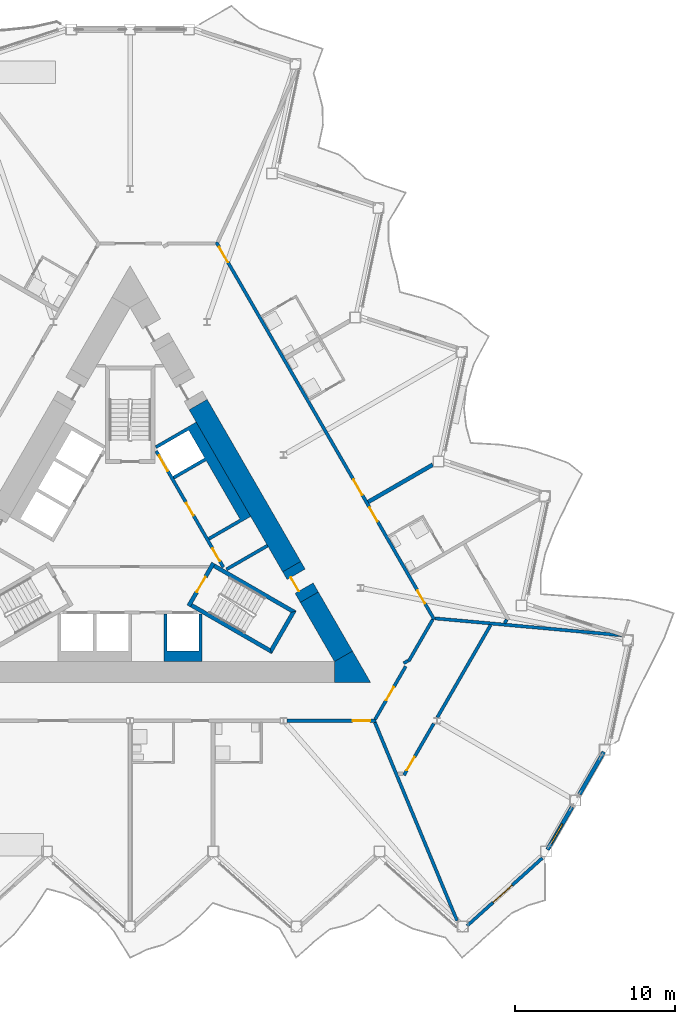
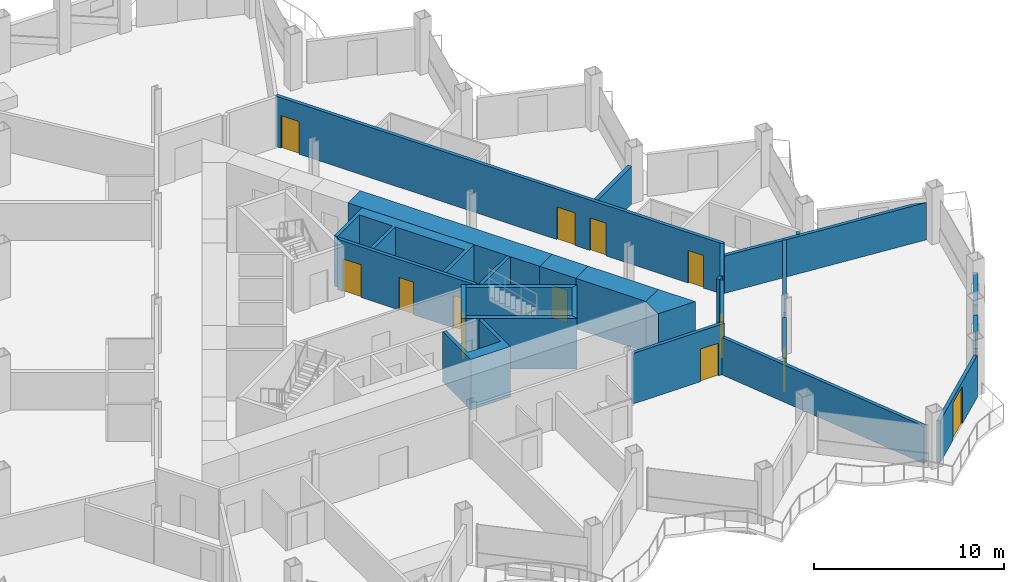
# One storey, part 13 of 23: 26 walls, 13 doors, 1 window, 14 openings.
"""IFC4 building model written with IfcOpenShell, lengths in metres."""

from ifc_helpers import new_model, si_unit, direction, frame, frame_2d, origin, place, context, subcontext, project, spatial, polyline, rectangle, outline, extrude, material, layer, layer_set, type_object, element, fill, save


model = new_model("IFC4")

# Units and contexts
model_context = context("Model", 3, precision=1e-05, world=origin(), true_north=direction((0.0, 1.0)))
body_context = subcontext(model_context, "Body", "Model", "MODEL_VIEW")
ifc_project = project(units=[si_unit("LENGTHUNIT", "METRE"), si_unit("AREAUNIT", "SQUARE_METRE"), si_unit("VOLUMEUNIT", "CUBIC_METRE"), si_unit("PLANEANGLEUNIT", "RADIAN"), si_unit("MASSUNIT", "GRAM", prefix="KILO")], contexts=[model_context])

# Site, building, storey
site_placement = place(None, origin())
site = spatial("IfcSite", under=ifc_project, at=site_placement, CompositionType="ELEMENT")
building_placement = place(site_placement, origin())
building = spatial("IfcBuilding", under=site, at=building_placement, Name="Cormorant Prow Tower", CompositionType="ELEMENT")
storey_placement = place(building_placement, frame((0.0, 0.0, 256.199951171875)))
storey = spatial("IfcBuildingStorey", under=building, at=storey_placement, Name="L57", CompositionType="ELEMENT", Elevation=256.199951171875)

# Walls
ifc_material_1 = material(Name="Concrete 8000 psi", Category="concrete")
ifc_layer_1 = layer(ifc_material_1, 1.300048828125)
ifc_layer_set_1 = layer_set([ifc_layer_1], Name="Concrete 8000 psi")
wall_type_1 = type_object("IfcWallType", Name="Core shear wall 1300", PredefinedType="SHEAR", material=ifc_layer_set_1)
wall_1_placement = place(storey_placement, frame((10.081298828125, -1.440673828125, 0.0), z_axis=(0.0, 0.0, 1.0), x_axis=(-0.500006109471, 0.866021876451, 0.0)))
element("IfcWall", 1, at=wall_1_placement, inside=storey, type_object=wall_type_1, Name="Core wall", PredefinedType="SHEAR", context=body_context, shape_type="SweptSolid", body=[
    extrude(rectangle(XDim=11.672119140625, YDim=1.300048828125, at=frame_2d((5.8359375, 0.0))), origin(), (0.0, 0.0, 1.0), 3.25),
])
wall_2_placement = place(storey_placement, frame((13.311279296875, -7.035400390625, 0.0), z_axis=(0.0, 0.0, 1.0), x_axis=(-0.500003555838, 0.866023350811, 0.0)))
element("IfcWall", 2, at=wall_2_placement, inside=storey, type_object=wall_type_1, Name="Core wall", PredefinedType="SHEAR", context=body_context, shape_type="SweptSolid", body=[
    extrude(rectangle(XDim=4.26025390625, YDim=1.300048828125, at=frame_2d((2.130126953125, 0.0))), origin(), (0.0, 0.0, 1.0), 3.25),
])
wall_3_placement = place(storey_placement, origin())
element("IfcWall", 3, at=wall_3_placement, inside=storey, type_object=wall_type_1, Name="Core wall corner", PredefinedType="SHEAR", context=body_context, shape_type="SweptSolid", body=[
    extrude(outline(polyline([(12.748291015625, -8.660400390625), (12.748291015625, -7.3603515625), (13.874267578125, -6.710205078125), (15.0, -8.660400390625), (12.748291015625, -8.660400390625)])), origin(), (0.0, 0.0, 1.0), 3.25),
])

# Wall, opening, door
wall_4_placement = place(storey_placement, frame((11.18115234375, -3.345947265625, 0.0), z_axis=(0.0, 0.0, 1.0), x_axis=(-0.499946605688, 0.86605622881, 0.0)))
wall_4 = element("IfcWall", 4, at=wall_4_placement, inside=storey, type_object=wall_type_1, Name="Core wall door panel", PredefinedType="SHEAR", context=body_context, shape_type="SweptSolid", body=[
    extrude(rectangle(XDim=2.199951171875, YDim=1.300048828125, at=frame_2d((1.10009765625, 0.0))), origin(), (0.0, 0.0, 1.0), 3.25),
])
opening_1_placement = place(wall_4_placement, frame((0.64990234375, 0.0, 0.0)))
opening_1 = element("IfcOpeningElement", 5, at=opening_1_placement, cuts=wall_4, Name="Opening L57-C15", PredefinedType="OPENING", context=body_context, shape_type="SweptSolid", body=[
    extrude(rectangle(XDim=1.0, YDim=2.10009765625, at=frame_2d((0.5, 1.050048828125))), frame((0.0, 0.659912109375, 0.0), z_axis=(0.0, -1.0, 0.0), x_axis=(1.0, 0.0, 0.0)), (0.0, 0.0, 1.0), 1.320068359375),
])
ifc_material_2 = material(Name="Painted steel", Category="steel")
door_type_1 = type_object("IfcDoorType", Name="Service door 1000x2100", OperationType="NOTDEFINED", PredefinedType="DOOR", material=ifc_material_2)
door_1_placement = place(opening_1_placement, origin())
door_1 = element("IfcDoor", 6, at=door_1_placement, inside=storey, type_object=door_type_1, Name="Core door, Telecom room", OperationType="SINGLE_SWING_LEFT", OverallHeight=2.10009765625, OverallWidth=1.0, PredefinedType="DOOR", context=body_context, shape_type="SweptSolid", body=[
    extrude(rectangle(XDim=1.0, YDim=2.10009765625, at=frame_2d((0.5, 1.050048828125))), frame((0.0, 0.40478515625, 0.0), z_axis=(0.0, -1.0, 0.0), x_axis=(1.0, 0.0, 0.0)), (0.0, 0.0, 1.0), 0.050048828125),
])
fill(opening_1, door_1)

# Wall, openings, doors
ifc_material_3 = material(Name="Gypsum board corridor wall")
ifc_layer_2 = layer(ifc_material_3, 0.199951171875)
ifc_layer_set_2 = layer_set([ifc_layer_2], Name="Gypsum board corridor wall")
wall_type_2 = type_object("IfcWallType", Name="Corridor wall 200", PredefinedType="PARTITIONING", material=ifc_layer_set_2)
wall_5_placement = place(storey_placement, frame((5.377197265625, 18.80712890625, 0.0), z_axis=(0.0, 0.0, 1.0), x_axis=(0.499999852422, -0.866025488988, 0.0)))
wall_5 = element("IfcWall", 7, at=wall_5_placement, inside=storey, type_object=wall_type_2, Name="Corridor wall", PredefinedType="PARTITIONING", context=body_context, shape_type="SweptSolid", body=[
    extrude(rectangle(XDim=27.19775390625, YDim=0.199951171875, at=frame_2d((13.598876953125, 0.0))), origin(), (0.0, 0.0, 1.0), 3.25),
])
opening_2_placement = place(wall_5_placement, frame((25.09619140625, 0.0, 0.0)))
opening_2 = element("IfcOpeningElement", 8, at=opening_2_placement, cuts=wall_5, Name="Opening L57-F10", PredefinedType="OPENING", context=body_context, shape_type="SweptSolid", body=[
    extrude(rectangle(XDim=0.949951171875, YDim=2.10009765625, at=frame_2d((0.47509765625, 1.050048828125))), frame((0.0, 0.10986328125, 0.0), z_axis=(0.0, -1.0, 0.0), x_axis=(1.0, 0.0, 0.0)), (0.0, 0.0, 1.0), 0.219970703125),
])
opening_3_placement = place(wall_5_placement, frame((19.121826171875, 0.0, 0.0)))
opening_3 = element("IfcOpeningElement", 9, at=opening_3_placement, cuts=wall_5, Name="Opening L57-F12", PredefinedType="OPENING", context=body_context, shape_type="SweptSolid", body=[
    extrude(rectangle(XDim=1.0, YDim=2.10009765625, at=frame_2d((0.5, 1.050048828125))), frame((0.0, 0.10986328125, 0.0), z_axis=(0.0, -1.0, 0.0), x_axis=(1.0, 0.0, 0.0)), (0.0, 0.0, 1.0), 0.219970703125),
])
opening_4_placement = place(wall_5_placement, frame((17.114501953125, 0.0, 0.0)))
opening_4 = element("IfcOpeningElement", 10, at=opening_4_placement, cuts=wall_5, Name="Opening L57-F14", PredefinedType="OPENING", context=body_context, shape_type="SweptSolid", body=[
    extrude(rectangle(XDim=1.10009765625, YDim=2.10009765625, at=frame_2d((0.550048828125, 1.050048828125))), frame((0.0, 0.10986328125, 0.0), z_axis=(0.0, -1.0, 0.0), x_axis=(1.0, 0.0, 0.0)), (0.0, 0.0, 1.0), 0.219970703125),
])
opening_5_placement = place(wall_5_placement, frame((0.350341796875, 0.0, 0.0)))
opening_5 = element("IfcOpeningElement", 11, at=opening_5_placement, cuts=wall_5, Name="Opening L57-F16", PredefinedType="OPENING", context=body_context, shape_type="SweptSolid", body=[
    extrude(rectangle(XDim=1.10009765625, YDim=2.10009765625, at=frame_2d((0.550048828125, 1.050048828125))), frame((0.0, 0.10986328125, 0.0), z_axis=(0.0, -1.0, 0.0), x_axis=(1.0, 0.0, 0.0)), (0.0, 0.0, 1.0), 0.219970703125),
])
ifc_material_4 = material(Name="Timber door leaf", Category="wood")
door_type_2 = type_object("IfcDoorType", Name="Flat or room entrance door 1000x2100", OperationType="NOTDEFINED", PredefinedType="DOOR", material=ifc_material_4)
door_2_placement = place(opening_3_placement, origin())
door_2 = element("IfcDoor", 12, at=door_2_placement, inside=storey, type_object=door_type_2, Name="Guest room door", OperationType="SINGLE_SWING_LEFT", OverallHeight=2.10009765625, OverallWidth=1.0, PredefinedType="DOOR", context=body_context, shape_type="SweptSolid", body=[
    extrude(rectangle(XDim=1.0, YDim=2.10009765625, at=frame_2d((0.5, 1.050048828125))), frame((0.0, 0.02490234375, 0.0), z_axis=(0.0, -1.0, 0.0), x_axis=(1.0, 0.0, 0.0)), (0.0, 0.0, 1.0), 0.050048828125),
])
fill(opening_3, door_2)
ifc_material_5 = material(Name="Timber door leaf", Category="wood")
door_type_3 = type_object("IfcDoorType", Name="Store door 950x2100", OperationType="NOTDEFINED", PredefinedType="DOOR", material=ifc_material_5)
door_3_placement = place(opening_2_placement, origin())
door_3 = element("IfcDoor", 13, at=door_3_placement, inside=storey, type_object=door_type_3, Name="Service store door", OperationType="SINGLE_SWING_LEFT", OverallHeight=2.10009765625, OverallWidth=0.949951171875, PredefinedType="DOOR", context=body_context, shape_type="SweptSolid", body=[
    extrude(rectangle(XDim=0.949951171875, YDim=2.10009765625, at=frame_2d((0.47509765625, 1.050048828125))), frame((0.0, 0.02490234375, 0.0), z_axis=(0.0, -1.0, 0.0), x_axis=(1.0, 0.0, 0.0)), (0.0, 0.0, 1.0), 0.050048828125),
])
fill(opening_2, door_3)
ifc_material_6 = material(Name="Timber door leaf", Category="wood")
door_type_4 = type_object("IfcDoorType", Name="Suite entrance door 1100x2100", OperationType="NOTDEFINED", PredefinedType="DOOR", material=ifc_material_6)
door_4_placement = place(opening_4_placement, origin())
door_4 = element("IfcDoor", 14, at=door_4_placement, inside=storey, type_object=door_type_4, Name="Junior suite door", OperationType="SINGLE_SWING_RIGHT", OverallHeight=2.10009765625, OverallWidth=1.10009765625, PredefinedType="DOOR", context=body_context, shape_type="SweptSolid", body=[
    extrude(rectangle(XDim=1.10009765625, YDim=2.10009765625, at=frame_2d((0.550048828125, 1.050048828125))), frame((0.0, 0.02490234375, 0.0), z_axis=(0.0, -1.0, 0.0), x_axis=(1.0, 0.0, 0.0)), (0.0, 0.0, 1.0), 0.050048828125),
])
fill(opening_4, door_4)
door_5_placement = place(opening_5_placement, origin())
door_5 = element("IfcDoor", 15, at=door_5_placement, inside=storey, type_object=door_type_4, Name="Executive suite bedroom door", OperationType="SINGLE_SWING_LEFT", OverallHeight=2.10009765625, OverallWidth=1.10009765625, PredefinedType="DOOR", context=body_context, shape_type="SweptSolid", body=[
    extrude(rectangle(XDim=1.10009765625, YDim=2.10009765625, at=frame_2d((0.550048828125, 1.050048828125))), frame((0.0, 0.02490234375, 0.0), z_axis=(0.0, -1.0, 0.0), x_axis=(1.0, 0.0, 0.0)), (0.0, 0.0, 1.0), 0.050048828125),
])
fill(opening_5, door_5)

# Wall, opening, door
wall_6_placement = place(storey_placement, frame((9.7880859375, -11.060302734375, 0.0), z_axis=(0.0, 0.0, 1.0), x_axis=(1.0, 0.0, 0.0)))
wall_6 = element("IfcWall", 16, at=wall_6_placement, inside=storey, type_object=wall_type_2, Name="Corridor wall", PredefinedType="PARTITIONING", context=body_context, shape_type="SweptSolid", body=[
    extrude(rectangle(XDim=5.542724609375, YDim=0.199951171875, at=frame_2d((2.771484375, 0.0))), origin(), (0.0, 0.0, 1.0), 3.25),
])
opening_6_placement = place(wall_6_placement, frame((4.091796875, 0.0, 0.0)))
opening_6 = element("IfcOpeningElement", 17, at=opening_6_placement, cuts=wall_6, Name="Opening L57-F06", PredefinedType="OPENING", context=body_context, shape_type="SweptSolid", body=[
    extrude(rectangle(XDim=1.10009765625, YDim=2.10009765625, at=frame_2d((0.550048828125, 1.050048828125))), frame((0.0, 0.10986328125, 0.0), z_axis=(0.0, -1.0, 0.0), x_axis=(1.0, 0.0, 0.0)), (0.0, 0.0, 1.0), 0.219970703125),
])
door_6_placement = place(opening_6_placement, origin())
door_6 = element("IfcDoor", 18, at=door_6_placement, inside=storey, type_object=door_type_4, Name="Executive suite bedroom door", OperationType="SINGLE_SWING_RIGHT", OverallHeight=2.10009765625, OverallWidth=1.10009765625, PredefinedType="DOOR", context=body_context, shape_type="SweptSolid", body=[
    extrude(rectangle(XDim=1.10009765625, YDim=2.10009765625, at=frame_2d((0.550048828125, 1.050048828125))), frame((0.0, 0.02490234375, 0.0), z_axis=(0.0, -1.0, 0.0), x_axis=(1.0, 0.0, 0.0)), (0.0, 0.0, 1.0), 0.050048828125),
])
fill(opening_6, door_6)

wall_7_placement = place(storey_placement, frame((15.281005859375, -10.9736328125, 0.0), z_axis=(0.0, 0.0, 1.0), x_axis=(0.499989446428, 0.866031496806, 0.0)))
wall_7 = element("IfcWall", 19, at=wall_7_placement, inside=storey, type_object=wall_type_2, Name="Corridor wall", PredefinedType="PARTITIONING", context=body_context, shape_type="SweptSolid", body=[
    extrude(rectangle(XDim=3.82568359375, YDim=0.199951171875, at=frame_2d((1.912841796875, 0.0))), origin(), (0.0, 0.0, 1.0), 3.25),
])
opening_7_placement = place(wall_7_placement, frame((1.38623046875, 0.0, 0.0)))
opening_7 = element("IfcOpeningElement", 20, at=opening_7_placement, cuts=wall_7, Name="Opening L57-F08", PredefinedType="OPENING", context=body_context, shape_type="SweptSolid", body=[
    extrude(rectangle(XDim=0.949951171875, YDim=2.10009765625, at=frame_2d((0.47509765625, 1.050048828125))), frame((0.0, 0.10986328125, 0.0), z_axis=(0.0, -1.0, 0.0), x_axis=(1.0, 0.0, 0.0)), (0.0, 0.0, 1.0), 0.219970703125),
])
door_7_placement = place(opening_7_placement, origin())
door_7 = element("IfcDoor", 21, at=door_7_placement, inside=storey, type_object=door_type_3, Name="Housekeeping room door", OperationType="SINGLE_SWING_LEFT", OverallHeight=2.10009765625, OverallWidth=0.949951171875, PredefinedType="DOOR", context=body_context, shape_type="SweptSolid", body=[
    extrude(rectangle(XDim=0.949951171875, YDim=2.10009765625, at=frame_2d((0.47509765625, 1.050048828125))), frame((0.0, 0.02490234375, 0.0), z_axis=(0.0, -1.0, 0.0), x_axis=(1.0, 0.0, 0.0)), (0.0, 0.0, 1.0), 0.050048828125),
])
fill(opening_7, door_7)

# Walls
wall_8_placement = place(storey_placement, frame((17.375, -7.346923828125, 0.0), z_axis=(0.0, 0.0, 1.0), x_axis=(0.499952404951, 0.866052881055, 0.0)))
element("IfcWall", 22, at=wall_8_placement, inside=storey, type_object=wall_type_2, Name="Corridor wall", PredefinedType="PARTITIONING", context=body_context, shape_type="SweptSolid", body=[
    extrude(rectangle(XDim=3.002197265625, YDim=0.199951171875, at=frame_2d((1.5009765625, 0.0))), origin(), (0.0, 0.0, 1.0), 3.25),
])
wall_9_placement = place(storey_placement, frame((17.06982421875, -7.46533203125, 0.0), z_axis=(0.0, 0.0, 1.0), x_axis=(0.866054481515, 0.499949632511, 0.0)))
element("IfcWall", 23, at=wall_9_placement, inside=storey, type_object=wall_type_2, Name="Corridor wall", PredefinedType="PARTITIONING", context=body_context, shape_type="SweptSolid", body=[
    extrude(rectangle(XDim=0.31005859375, YDim=0.199951171875, at=frame_2d((0.155029296875, 0.0))), origin(), (0.0, 0.0, 1.0), 3.25),
])
ifc_material_7 = material(Name="Gypsum board demising wall")
ifc_layer_3 = layer(ifc_material_7, 0.199951171875)
ifc_layer_set_3 = layer_set([ifc_layer_3], Name="Gypsum board demising wall")
wall_type_3 = type_object("IfcWallType", Name="Demising wall 200", PredefinedType="PARTITIONING", material=ifc_layer_set_3)
wall_10_placement = place(storey_placement, frame((15.26904296875, -11.152587890625, 0.0), z_axis=(0.0, 0.0, 1.0), x_axis=(0.382692998932, -0.923875569851, 0.0)))
element("IfcWall", 24, at=wall_10_placement, inside=storey, type_object=wall_type_3, Name="Demising wall", PredefinedType="PARTITIONING", context=body_context, shape_type="SweptSolid", body=[
    extrude(rectangle(XDim=13.39697265625, YDim=0.199951171875, at=frame_2d((6.698486328125, 0.0))), origin(), (0.0, 0.0, 1.0), 2.404296875),
])
wall_11_placement = place(storey_placement, origin())
element("IfcWall", 25, at=wall_11_placement, inside=storey, type_object=wall_type_3, Name="Demising wall", PredefinedType="PARTITIONING", context=body_context, shape_type="SweptSolid", body=[
    extrude(outline(polyline([(30.694091796875, -5.824462890625), (19.0166015625, -4.768798828125), (19.034423828125, -4.569580078125), (29.918212890625, -5.553466796875), (30.69580078125, -5.80615234375), (30.694091796875, -5.824462890625)])), origin(), (0.0, 0.0, 1.0), 2.404296875),
])
wall_12_placement = place(storey_placement, frame((19.162353515625, -10.850830078125, 0.0), z_axis=(0.0, 0.0, 1.0), x_axis=(0.500008654708, 0.866020406929, 0.0)))
element("IfcWall", 26, at=wall_12_placement, inside=storey, type_object=wall_type_3, Name="Demising wall", PredefinedType="PARTITIONING", context=body_context, shape_type="SweptSolid", body=[
    extrude(rectangle(XDim=6.67041015625, YDim=0.199951171875, at=frame_2d((3.335205078125, 0.0))), origin(), (0.0, 0.0, 1.0), 2.404296875),
])

# Wall, opening, door
wall_13_placement = place(storey_placement, frame((17.086181640625, -14.447021484375, 0.0), z_axis=(0.0, 0.0, 1.0), x_axis=(0.500004411858, 0.866022856582, 0.0)))
wall_13 = element("IfcWall", 27, at=wall_13_placement, inside=storey, type_object=wall_type_3, Name="Demising wall", PredefinedType="PARTITIONING", context=body_context, shape_type="SweptSolid", body=[
    extrude(rectangle(XDim=3.72265625, YDim=0.199951171875, at=frame_2d((1.861328125, 0.0))), origin(), (0.0, 0.0, 1.0), 2.404296875),
])
opening_8_placement = place(wall_13_placement, frame((0.353271484375, 0.0, 0.0)))
opening_8 = element("IfcOpeningElement", 28, at=opening_8_placement, cuts=wall_13, Name="Opening L57-F09", PredefinedType="OPENING", context=body_context, shape_type="SweptSolid", body=[
    extrude(rectangle(XDim=0.949951171875, YDim=2.10009765625, at=frame_2d((0.47509765625, 1.050048828125))), frame((0.0, 0.10986328125, 0.0), z_axis=(0.0, -1.0, 0.0), x_axis=(1.0, 0.0, 0.0)), (0.0, 0.0, 1.0), 0.219970703125),
])
door_8_placement = place(opening_8_placement, origin())
door_8 = element("IfcDoor", 29, at=door_8_placement, inside=storey, type_object=door_type_3, Name="Linen store door", OperationType="SINGLE_SWING_LEFT", OverallHeight=2.10009765625, OverallWidth=0.949951171875, PredefinedType="DOOR", context=body_context, shape_type="SweptSolid", body=[
    extrude(rectangle(XDim=0.949951171875, YDim=2.10009765625, at=frame_2d((0.47509765625, 1.050048828125))), frame((0.0, 0.02490234375, 0.0), z_axis=(0.0, -1.0, 0.0), x_axis=(1.0, 0.0, 0.0)), (0.0, 0.0, 1.0), 0.050048828125),
])
fill(opening_8, door_8)

# Wall
wall_14_placement = place(storey_placement, frame((23.36572265625, -4.970458984375, 0.0), z_axis=(0.0, 0.0, 1.0), x_axis=(0.500104332946, 0.86596515875, 0.0)))
element("IfcWall", 30, at=wall_14_placement, inside=storey, type_object=wall_type_3, Name="Demising wall", PredefinedType="PARTITIONING", context=body_context, shape_type="SweptSolid", body=[
    extrude(rectangle(XDim=0.25830078125, YDim=0.199951171875, at=frame_2d((0.129150390625, 0.0))), origin(), (0.0, 0.0, 1.0), 2.404296875),
])

# Wall, openings, doors
ifc_material_8 = material(Name="Concrete 5000 psi", Category="concrete")
ifc_layer_4 = layer(ifc_material_8, 0.199951171875)
ifc_layer_set_4 = layer_set([ifc_layer_4], Name="Concrete 5000 psi")
wall_type_4 = type_object("IfcWallType", Name="Lift lobby wall 200", PredefinedType="SOLIDWALL", material=ifc_layer_set_4)
wall_15_placement = place(storey_placement, frame((5.817138671875, -1.4755859375, 0.0), z_axis=(0.0, 0.0, 1.0), x_axis=(-0.500002616675, 0.866023893041, 0.0)))
wall_15 = element("IfcWall", 31, at=wall_15_placement, inside=storey, type_object=wall_type_4, Name="Lift lobby wall, ENE block", PredefinedType="SOLIDWALL", context=body_context, shape_type="SweptSolid", body=[
    extrude(rectangle(XDim=8.373046875, YDim=0.199951171875, at=frame_2d((4.1865234375, 0.0))), origin(), (0.0, 0.0, 1.0), 3.25),
])
opening_9_placement = place(wall_15_placement, frame((0.4365234375, 0.0, 0.0)))
opening_9 = element("IfcOpeningElement", 32, at=opening_9_placement, cuts=wall_15, Name="Opening L57-C05", PredefinedType="OPENING", context=body_context, shape_type="SweptSolid", body=[
    extrude(rectangle(XDim=0.89990234375, YDim=2.10009765625, at=frame_2d((0.449951171875, 1.050048828125))), frame((0.0, 0.10986328125, 0.0), z_axis=(0.0, -1.0, 0.0), x_axis=(1.0, 0.0, 0.0)), (0.0, 0.0, 1.0), 0.219970703125),
])
opening_10_placement = place(wall_15_placement, frame((3.736572265625, 0.0, 0.0)))
opening_10 = element("IfcOpeningElement", 33, at=opening_10_placement, cuts=wall_15, Name="Opening L57-C06", PredefinedType="OPENING", context=body_context, shape_type="SweptSolid", body=[
    extrude(rectangle(XDim=0.89990234375, YDim=2.10009765625, at=frame_2d((0.449951171875, 1.050048828125))), frame((0.0, 0.10986328125, 0.0), z_axis=(0.0, -1.0, 0.0), x_axis=(1.0, 0.0, 0.0)), (0.0, 0.0, 1.0), 0.219970703125),
])
opening_11_placement = place(wall_15_placement, frame((6.9365234375, 0.0, 0.0)))
opening_11 = element("IfcOpeningElement", 34, at=opening_11_placement, cuts=wall_15, Name="Opening L57-C07", PredefinedType="OPENING", context=body_context, shape_type="SweptSolid", body=[
    extrude(rectangle(XDim=1.10009765625, YDim=2.10009765625, at=frame_2d((0.550048828125, 1.050048828125))), frame((0.0, 0.10986328125, 0.0), z_axis=(0.0, -1.0, 0.0), x_axis=(1.0, 0.0, 0.0)), (0.0, 0.0, 1.0), 0.219970703125),
])
ifc_material_9 = material(Name="Painted steel", Category="steel")
door_type_5 = type_object("IfcDoorType", Name="Lift landing door 1100x2100", OperationType="SLIDING_TO_LEFT", PredefinedType="DOOR", material=ifc_material_9)
door_9_placement = place(opening_11_placement, origin())
door_9 = element("IfcDoor", 35, at=door_9_placement, inside=storey, type_object=door_type_5, Name="Landing door MR1", OperationType="SLIDING_TO_LEFT", OverallHeight=2.10009765625, OverallWidth=1.10009765625, PredefinedType="DOOR", context=body_context, shape_type="SweptSolid", body=[
    extrude(rectangle(XDim=1.10009765625, YDim=2.10009765625, at=frame_2d((0.550048828125, 1.050048828125))), frame((0.0, 0.02490234375, 0.0), z_axis=(0.0, -1.0, 0.0), x_axis=(1.0, 0.0, 0.0)), (0.0, 0.0, 1.0), 0.050048828125),
])
fill(opening_11, door_9)
ifc_material_10 = material(Name="Painted steel", Category="steel")
door_type_6 = type_object("IfcDoorType", Name="Service door 900x2100", OperationType="NOTDEFINED", PredefinedType="DOOR", material=ifc_material_10)
door_10_placement = place(opening_9_placement, origin())
door_10 = element("IfcDoor", 36, at=door_10_placement, inside=storey, type_object=door_type_6, Name="Service door, Pantry store", OperationType="SINGLE_SWING_LEFT", OverallHeight=2.10009765625, OverallWidth=0.89990234375, PredefinedType="DOOR", context=body_context, shape_type="SweptSolid", body=[
    extrude(rectangle(XDim=0.89990234375, YDim=2.10009765625, at=frame_2d((0.449951171875, 1.050048828125))), frame((0.0, 0.02490234375, 0.0), z_axis=(0.0, -1.0, 0.0), x_axis=(1.0, 0.0, 0.0)), (0.0, 0.0, 1.0), 0.050048828125),
])
fill(opening_9, door_10)
door_11_placement = place(opening_10_placement, origin())
door_11 = element("IfcDoor", 37, at=door_11_placement, inside=storey, type_object=door_type_6, Name="Service door, Telecom room", OperationType="SINGLE_SWING_RIGHT", OverallHeight=2.10009765625, OverallWidth=0.89990234375, PredefinedType="DOOR", context=body_context, shape_type="SweptSolid", body=[
    extrude(rectangle(XDim=0.89990234375, YDim=2.10009765625, at=frame_2d((0.449951171875, 1.050048828125))), frame((0.0, 0.02490234375, 0.0), z_axis=(0.0, -1.0, 0.0), x_axis=(1.0, 0.0, 0.0)), (0.0, 0.0, 1.0), 0.050048828125),
])
fill(opening_10, door_11)

# Walls
ifc_material_11 = material(Name="Concrete 8000 psi", Category="concrete")
ifc_layer_5 = layer(ifc_material_11, 0.199951171875)
ifc_layer_set_5 = layer_set([ifc_layer_5], Name="Concrete 8000 psi")
wall_type_5 = type_object("IfcWallType", Name="Lift shaft wall 200", PredefinedType="SHEAR", material=ifc_layer_set_5)
wall_16_placement = place(storey_placement, origin())
element("IfcWall", 38, at=wall_16_placement, inside=storey, type_object=wall_type_5, Name="Lift shaft walls, S block", PredefinedType="SHEAR", context=body_context, shape_type="SweptSolid", body=[
    extrude(outline(polyline([(2.10009765625, -7.3603515625), (2.10009765625, -4.39990234375), (2.300048828125, -4.39990234375), (2.300048828125, -6.699951171875), (4.300048828125, -6.699951171875), (4.300048828125, -4.39990234375), (4.5, -4.39990234375), (4.5, -7.3603515625), (2.10009765625, -7.3603515625)])), origin(), (0.0, 0.0, 1.0), 3.25),
])
wall_17_placement = place(storey_placement, origin())
element("IfcWall", 39, at=wall_17_placement, inside=storey, type_object=wall_type_5, Name="Lift shaft walls, ENE block", PredefinedType="SHEAR", context=body_context, shape_type="SweptSolid", body=[
    extrude(outline(polyline([(8.524169921875, -0.043701171875), (8.624267578125, -0.217041015625), (8.230712890625, -0.444091796875), (6.060546875, -1.697021484375), (5.96044921875, -1.52392578125), (8.130859375, -0.27099609375), (8.524169921875, -0.043701171875)])), origin(), (0.0, 0.0, 1.0), 3.25),
])
wall_18_placement = place(storey_placement, origin())
element("IfcWall", 40, at=wall_18_placement, inside=storey, type_object=wall_type_5, Name="Lift shaft walls, ENE block", PredefinedType="SHEAR", context=body_context, shape_type="SweptSolid", body=[
    extrude(outline(polyline([(7.524169921875, 1.688232421875), (7.130859375, 1.461181640625), (4.96044921875, 0.2080078125), (4.860595703125, 0.38134765625), (6.852294921875, 1.53125), (4.75244140625, 5.168701171875), (2.760498046875, 4.018798828125), (2.660400390625, 4.19189453125), (4.65234375, 5.341796875), (3.65234375, 7.073974609375), (1.660400390625, 5.923828125), (1.560546875, 6.09716796875), (3.730712890625, 7.35009765625), (4.124267578125, 7.5771484375), (7.524169921875, 1.688232421875)])), origin(), (0.0, 0.0, 1.0), 3.25),
])
ifc_material_12 = material(Name="Concrete 8000 psi", Category="concrete")
ifc_layer_6 = layer(ifc_material_12, 0.25)
ifc_layer_set_6 = layer_set([ifc_layer_6], Name="Concrete 8000 psi")
wall_type_6 = type_object("IfcWallType", Name="Stair wall 250", PredefinedType="SHEAR", material=ifc_layer_set_6)
wall_19_placement = place(storey_placement, origin())
element("IfcWall", 41, at=wall_19_placement, inside=storey, type_object=wall_type_6, Name="Stair ST2 enclosure wall (flank)", PredefinedType="SHEAR", context=body_context, shape_type="SweptSolid", body=[
    extrude(outline(polyline([(3.76318359375, -3.95556640625), (8.82958984375, -6.880615234375), (8.738037109375, -6.5390625), (3.88818359375, -3.739013671875), (3.76318359375, -3.95556640625)])), origin(), (0.0, 0.0, 1.0), 3.25),
])
wall_20_placement = place(storey_placement, origin())
element("IfcWall", 42, at=wall_20_placement, inside=storey, type_object=wall_type_6, Name="Stair ST2 enclosure wall (end)", PredefinedType="SHEAR", context=body_context, shape_type="SweptSolid", body=[
    extrude(outline(polyline([(8.82958984375, -6.880615234375), (10.37353515625, -4.206298828125), (10.031982421875, -4.2978515625), (8.738037109375, -6.5390625), (8.82958984375, -6.880615234375)])), origin(), (0.0, 0.0, 1.0), 3.25),
])
wall_21_placement = place(storey_placement, origin())
element("IfcWall", 43, at=wall_21_placement, inside=storey, type_object=wall_type_6, Name="Stair ST2 enclosure wall (flank)", PredefinedType="SHEAR", context=body_context, shape_type="SweptSolid", body=[
    extrude(outline(polyline([(10.031982421875, -4.2978515625), (10.37353515625, -4.206298828125), (5.30712890625, -1.28125), (5.18212890625, -1.497802734375), (10.031982421875, -4.2978515625)])), origin(), (0.0, 0.0, 1.0), 3.25),
])

# Wall, opening, door
wall_22_placement = place(storey_placement, frame((3.655029296875, -3.89306640625, 0.0), z_axis=(0.0, 0.0, 1.0), x_axis=(0.499982516597, 0.866035497597, 0.0)))
wall_22 = element("IfcWall", 44, at=wall_22_placement, inside=storey, type_object=wall_type_6, Name="Stair ST2 door wall", PredefinedType="SHEAR", context=body_context, shape_type="SweptSolid", body=[
    extrude(rectangle(XDim=3.087890625, YDim=0.25, at=frame_2d((1.5439453125, 0.0))), origin(), (0.0, 0.0, 1.0), 3.25),
])
opening_12_placement = place(wall_22_placement, frame((0.993896484375, 0.0, 0.0)))
opening_12 = element("IfcOpeningElement", 45, at=opening_12_placement, cuts=wall_22, Name="Opening L57-C12", PredefinedType="OPENING", context=body_context, shape_type="SweptSolid", body=[
    extrude(rectangle(XDim=1.10009765625, YDim=2.10009765625, at=frame_2d((0.550048828125, 1.050048828125))), frame((0.0, 0.135009765625, 0.0), z_axis=(0.0, -1.0, 0.0), x_axis=(1.0, 0.0, 0.0)), (0.0, 0.0, 1.0), 0.27001953125),
])
ifc_material_13 = material(Name="Painted steel", Category="steel")
door_type_7 = type_object("IfcDoorType", Name="Stair door 1100x2100", OperationType="NOTDEFINED", PredefinedType="DOOR", material=ifc_material_13)
door_12_placement = place(opening_12_placement, origin())
door_12 = element("IfcDoor", 46, at=door_12_placement, inside=storey, type_object=door_type_7, Name="Stair ST2 door", OperationType="SINGLE_SWING_RIGHT", OverallHeight=2.10009765625, OverallWidth=1.10009765625, PredefinedType="DOOR", context=body_context, shape_type="SweptSolid", body=[
    extrude(rectangle(XDim=1.10009765625, YDim=2.10009765625, at=frame_2d((0.550048828125, 1.050048828125))), frame((0.0, 0.02490234375, 0.0), z_axis=(0.0, -1.0, 0.0), x_axis=(1.0, 0.0, 0.0)), (0.0, 0.0, 1.0), 0.050048828125),
])
fill(opening_12, door_12)

# Wall
ifc_material_14 = material(Name="Acoustic gypsum party wall")
ifc_layer_7 = layer(ifc_material_14, 0.25)
ifc_layer_set_7 = layer_set([ifc_layer_7], Name="Acoustic gypsum party wall")
wall_type_7 = type_object("IfcWallType", Name="Suite party wall 250", PredefinedType="PARTITIONING", material=ifc_layer_set_7)
wall_23_placement = place(storey_placement, frame((14.852783203125, 2.594482421875, 0.0), z_axis=(0.0, 0.0, 1.0), x_axis=(0.866021891294, 0.500006083763, 0.0)))
element("IfcWall", 47, at=wall_23_placement, inside=storey, type_object=wall_type_7, Name="Suite party wall", PredefinedType="PARTITIONING", context=body_context, shape_type="SweptSolid", body=[
    extrude(rectangle(XDim=4.64453125, YDim=0.25, at=frame_2d((2.322265625, 0.0))), origin(), (0.0, 0.0, 1.0), 2.404296875),
])

# Wall, opening, window
ifc_material_15 = material(Name="Terracotta", Category="masonry")
ifc_layer_8 = layer(ifc_material_15, 0.25)
ifc_layer_set_8 = layer_set([ifc_layer_8], Name="Terracotta")
wall_type_8 = type_object("IfcWallType", Name="Terracotta bay wall 250", PredefinedType="SOLIDWALL", material=ifc_layer_set_8)
wall_24_placement = place(storey_placement, frame((26.039794921875, -19.09716796875, 0.0), z_axis=(0.0, 0.0, 1.0), x_axis=(0.499976998774, 0.866038683141, 0.0)))
wall_24 = element("IfcWall", 48, at=wall_24_placement, inside=storey, type_object=wall_type_8, Name="Terracotta bay wall ESE00", PredefinedType="SOLIDWALL", context=body_context, shape_type="SweptSolid", body=[
    extrude(rectangle(XDim=3.072021484375, YDim=0.25, at=frame_2d((1.5361328125, 0.0))), origin(), (0.0, 0.0, 1.0), 2.700927734375),
])
opening_13_placement = place(wall_24_placement, frame((0.449951171875, 0.0, 1.800048828125)))
opening_13 = element("IfcOpeningElement", 49, at=opening_13_placement, cuts=wall_24, Name="Opening WN4", PredefinedType="OPENING", context=body_context, shape_type="SweptSolid", body=[
    extrude(rectangle(XDim=1.39990234375, YDim=0.699951171875, at=frame_2d((0.699951171875, 0.35009765625))), frame((0.0, 0.135009765625, 0.0), z_axis=(0.0, -1.0, 0.0), x_axis=(1.0, 0.0, 0.0)), (0.0, 0.0, 1.0), 0.27001953125),
])
ifc_material_16 = material(Name="Aluminium 6063-T6", Category="aluminium")
window_type = type_object("IfcWindowType", Name="Corner bay window 1400x700", PartitioningType="SINGLE_PANEL", PredefinedType="WINDOW", material=ifc_material_16)
window_placement = place(opening_13_placement, origin())
window = element("IfcWindow", 50, at=window_placement, inside=storey, type_object=window_type, Name="Corner bay window ESE00", OverallHeight=0.699951171875, OverallWidth=1.39990234375, PartitioningType="SINGLE_PANEL", PredefinedType="WINDOW", context=body_context, shape_type="SweptSolid", body=[
    extrude(rectangle(XDim=1.39990234375, YDim=0.699951171875, at=frame_2d((0.699951171875, 0.35009765625))), frame((0.0, 0.030029296875, 0.0), z_axis=(0.0, -1.0, 0.0), x_axis=(1.0, 0.0, 0.0)), (0.0, 0.0, 1.0), 0.06005859375),
])
fill(opening_13, window)

# Wall
wall_25_placement = place(storey_placement, frame((28.03759765625, -15.63671875, 0.0), z_axis=(0.0, 0.0, 1.0), x_axis=(0.500023511883, 0.866011828767, 0.0)))
element("IfcWall", 51, at=wall_25_placement, inside=storey, type_object=wall_type_8, Name="Terracotta bay wall ESE01", PredefinedType="SOLIDWALL", context=body_context, shape_type="SweptSolid", body=[
    extrude(rectangle(XDim=3.041748046875, YDim=0.25, at=frame_2d((1.52099609375, 0.0))), origin(), (0.0, 0.0, 1.0), 2.700927734375),
])

# Wall, opening, door
ifc_material_17 = material(Name="Terracotta", Category="masonry")
ifc_layer_9 = layer(ifc_material_17, 0.199951171875)
ifc_layer_set_9 = layer_set([ifc_layer_9], Name="Terracotta")
wall_type_9 = type_object("IfcWallType", Name="Terracotta jamb wall 200", PredefinedType="SOLIDWALL", material=ifc_layer_set_9)
wall_26_placement = place(storey_placement, frame((21.0234375, -23.84765625, 0.0), z_axis=(0.0, 0.0, 1.0), x_axis=(0.74314024121, 0.669135697668, 0.0)))
wall_26 = element("IfcWall", 52, at=wall_26_placement, inside=storey, type_object=wall_type_9, Name="Terracotta jamb wall S09", PredefinedType="SOLIDWALL", context=body_context, shape_type="SweptSolid", body=[
    extrude(rectangle(XDim=6.31103515625, YDim=0.199951171875, at=frame_2d((3.155517578125, 0.0))), origin(), (0.0, 0.0, 1.0), 2.700927734375),
])
opening_14_placement = place(wall_26_placement, frame((2.183837890625, 0.0, 0.0)))
opening_14 = element("IfcOpeningElement", 53, at=opening_14_placement, cuts=wall_26, Name="Opening ED57.05", PredefinedType="OPENING", context=body_context, shape_type="SweptSolid", body=[
    extrude(rectangle(XDim=1.60009765625, YDim=2.39990234375, at=frame_2d((0.800048828125, 1.199951171875))), frame((0.0, 0.10986328125, 0.0), z_axis=(0.0, -1.0, 0.0), x_axis=(1.0, 0.0, 0.0)), (0.0, 0.0, 1.0), 0.219970703125),
])
ifc_material_18 = material(Name="Aluminium 6063-T6", Category="aluminium")
door_type_8 = type_object("IfcDoorType", Name="Balcony door 1600x2400", OperationType="DOUBLE_DOOR_SINGLE_SWING", PredefinedType="DOOR", material=ifc_material_18)
door_13_placement = place(opening_14_placement, origin())
door_13 = element("IfcDoor", 54, at=door_13_placement, inside=storey, type_object=door_type_8, Name="Balcony door S09 ED57.05", OperationType="DOUBLE_DOOR_SINGLE_SWING", OverallHeight=2.39990234375, OverallWidth=1.60009765625, PredefinedType="DOOR", context=body_context, shape_type="SweptSolid", body=[
    extrude(rectangle(XDim=1.60009765625, YDim=2.39990234375, at=frame_2d((0.800048828125, 1.199951171875))), frame((0.0, 0.02490234375, 0.0), z_axis=(0.0, -1.0, 0.0), x_axis=(1.0, 0.0, 0.0)), (0.0, 0.0, 1.0), 0.050048828125),
])
fill(opening_14, door_13)

save(model, "model.ifc")
